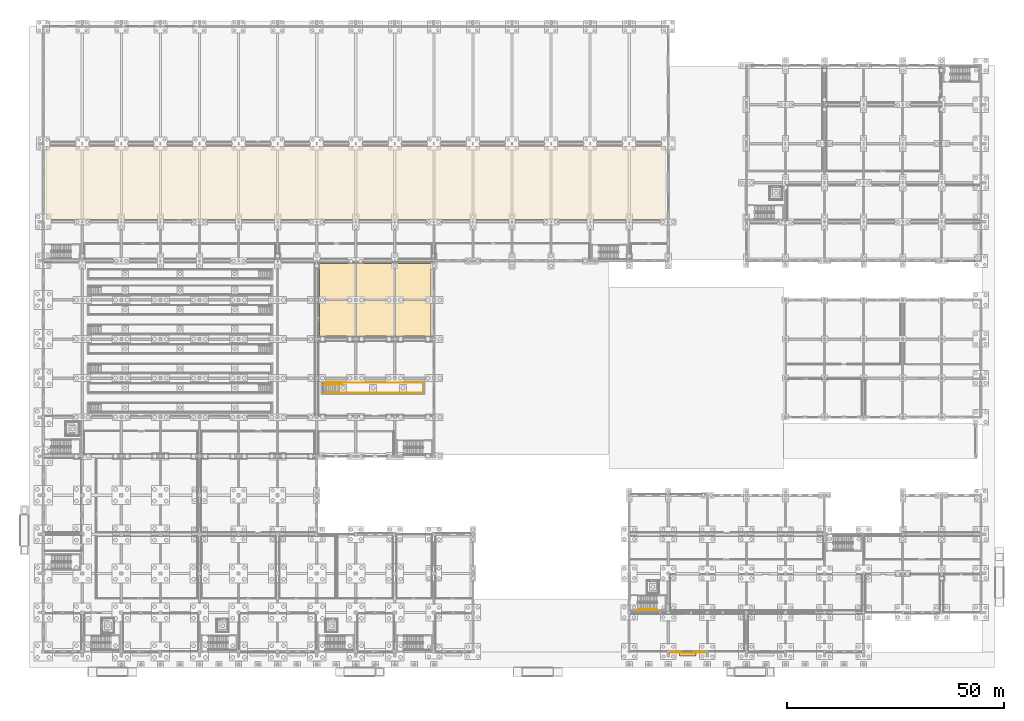
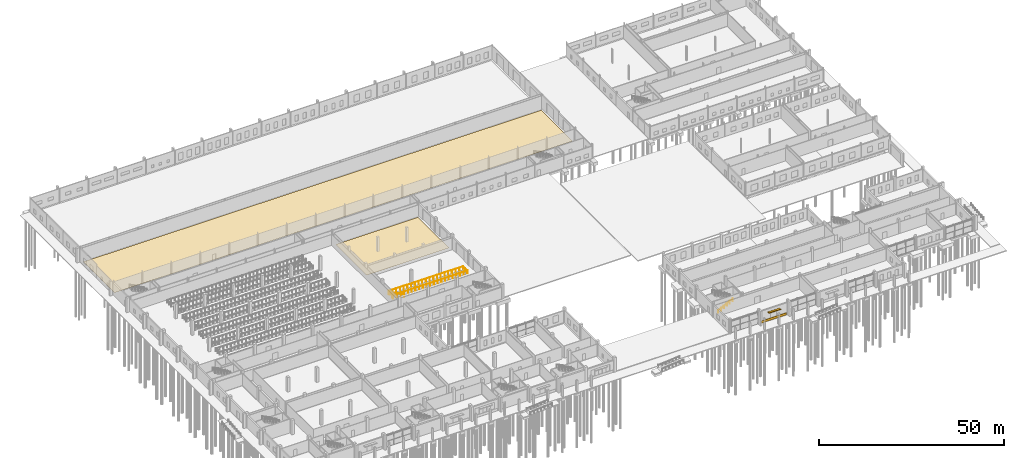
# One storey, part 103 of 112: 3 coverings, 3 railings, 1 shading device.
"""IFC4 building model written with IfcOpenShell, lengths in metres."""

import ifcopenshell
import ifcopenshell.guid

model = None  # the IFC model being written
_history = None  # IfcOwnerHistory: only IFC2X3 demands one
_inside = {}  # id of a spatial element -> (the spatial element, [elements in it])
_under = {}  # id of a project, library or spatial element -> (it, [spatial elements below it])
_declared = {}  # id of a project -> (the project, [libraries it declares])
_typed = {}  # id of a type object -> (the type object, [elements of that type])
_made_of = {}  # id of a material, layer set ... -> (it, [elements and type objects made of it])


def new_model(schema):
    """Start an empty IFC model of exactly this schema.

    Asked for "IFC4X3", IfcOpenShell would pick the latest addendum, in which some entities
    have other attributes; the version numbers below select the first issue.
    IFC2X3 requires an IfcOwnerHistory on every rooted entity: one is made here for all.
    """
    global model, _history
    if schema == "IFC4X3":
        model = ifcopenshell.file(schema_version=(4, 3, 0, 0))
    else:
        model = ifcopenshell.file(schema=schema)
    _inside.clear()
    _under.clear()
    _declared.clear()
    _typed.clear()
    _made_of.clear()
    _history = None
    if model.schema == "IFC2X3":
        org = make("IfcOrganization", Name="unknown")
        user = make(
            "IfcPersonAndOrganization",
            ThePerson=make("IfcPerson", FamilyName="unknown"),
            TheOrganization=org,
        )
        app = make(
            "IfcApplication",
            ApplicationDeveloper=org,
            Version="unknown",
            ApplicationFullName="unknown",
            ApplicationIdentifier="unknown",
        )
        _history = make(
            "IfcOwnerHistory",
            OwningUser=user,
            OwningApplication=app,
            ChangeAction="ADDED",
            CreationDate=0,
        )
    return model


def make(cls, **values):
    """One entity of the class cls with the attributes given. An attribute that is None is left unset."""
    return model.create_entity(
        cls, **{name: value for name, value in values.items() if value is not None}
    )


def rooted(cls, **values):
    """An entity with a GlobalId (a new one), such as an element, a storey or a relation."""
    return make(cls, GlobalId=ifcopenshell.guid.new(), OwnerHistory=_history, **values)


def si_unit(unit_type, name, prefix=None):
    """IfcSIUnit, for example si_unit("LENGTHUNIT", "METRE", prefix="MILLI")."""
    return make("IfcSIUnit", UnitType=unit_type, Prefix=prefix, Name=name)


def assignment(units):
    """IfcUnitAssignment: the units of a project."""
    return None if units is None else make("IfcUnitAssignment", Units=units)


def point(xyz):
    """IfcCartesianPoint."""
    return None if xyz is None else make("IfcCartesianPoint", Coordinates=xyz)


def direction(xyz):
    """IfcDirection."""
    return None if xyz is None else make("IfcDirection", DirectionRatios=xyz)


def frame(location, z_axis=None, x_axis=None):
    """IfcAxis2Placement3D, a coordinate frame: its origin and axes. An axis left out is left unset."""
    return make(
        "IfcAxis2Placement3D",
        Location=point(location),
        Axis=direction(z_axis),
        RefDirection=direction(x_axis),
    )


def frame_2d(location, x_axis=None):
    """IfcAxis2Placement2D, a coordinate frame in the plane: its origin and x axis."""
    return make(
        "IfcAxis2Placement2D", Location=point(location), RefDirection=direction(x_axis)
    )


def origin():
    """The frame at (0, 0, 0) with its axes left unset."""
    return frame((0.0, 0.0, 0.0))


def origin_2d():
    """The frame at (0, 0) in the plane with its x axis left unset."""
    return frame_2d((0.0, 0.0))


def place(relative_to, where):
    """IfcLocalPlacement: puts the frame where relative to a parent placement (None: the world)."""
    return make(
        "IfcLocalPlacement", PlacementRelTo=relative_to, RelativePlacement=where
    )


def context(
    kind, dimensions, precision=None, world=None, true_north=None, identifier=None
):
    """IfcGeometricRepresentationContext, for example the 3D "Model" context."""
    return make(
        "IfcGeometricRepresentationContext",
        ContextIdentifier=identifier,
        ContextType=kind,
        CoordinateSpaceDimension=dimensions,
        Precision=precision,
        WorldCoordinateSystem=world,
        TrueNorth=true_north,
    )


def subcontext(parent, identifier, kind, view, scale=None):
    """IfcGeometricRepresentationSubContext, for example "Body" below "Model"."""
    return make(
        "IfcGeometricRepresentationSubContext",
        ContextIdentifier=identifier,
        ContextType=kind,
        ParentContext=parent,
        TargetScale=scale,
        TargetView=view,
    )


def project(units=None, contexts=None):
    """IfcProject with its units and contexts."""
    return rooted(
        "IfcProject",
        Name="project",
        RepresentationContexts=contexts,
        UnitsInContext=assignment(units),
    )


def spatial(cls, under=None, at=None, **own):
    """A site, building, storey or space (cls), placed at a placement, below another one or the project."""
    s = rooted(cls, ObjectPlacement=at, **own)
    if under is not None:
        _under.setdefault(under.id(), (under, []))[1].append(s)
    return s


def polyline(points):
    """IfcPolyline through the points."""
    return make("IfcPolyline", Points=[point(p) for p in points])


def profile(cls, at=None, kind="AREA", **sizes):
    """A parametric profile (cls). Its sizes go by their IFC names, for example OverallWidth=200.0."""
    return make(cls, ProfileType=kind, Position=at, **sizes)


def rectangle(**sizes):
    """IfcRectangleProfileDef."""
    return profile("IfcRectangleProfileDef", **sizes)


def circle(**sizes):
    """IfcCircleProfileDef."""
    return profile("IfcCircleProfileDef", **sizes)


def outline(outer, holes=None, kind="AREA"):
    """IfcArbitraryClosedProfileDef: a profile drawn as a closed curve; with holes, ...WithVoids."""
    if holes is None:
        return make("IfcArbitraryClosedProfileDef", ProfileType=kind, OuterCurve=outer)
    return make(
        "IfcArbitraryProfileDefWithVoids",
        ProfileType=kind,
        OuterCurve=outer,
        InnerCurves=holes,
    )


def extrude(swept, where, along, depth):
    """IfcExtrudedAreaSolid: the profile swept, set in the frame where, extruded along a direction by depth."""
    return make(
        "IfcExtrudedAreaSolid",
        SweptArea=swept,
        Position=where,
        ExtrudedDirection=direction(along),
        Depth=depth,
    )


def shape(context_of_items, identifier, shape_type, items):
    """IfcShapeRepresentation: the items that make up one representation, for example the "Body"."""
    return make(
        "IfcShapeRepresentation",
        ContextOfItems=context_of_items,
        RepresentationIdentifier=identifier,
        RepresentationType=shape_type,
        Items=items,
    )


def material(Name=None, Category=None):
    """IfcMaterial."""
    return make("IfcMaterial", Name=Name, Category=Category)


def layer(
    of_material, thickness, ventilated=None, Name=None, Category=None, Priority=None
):
    """IfcMaterialLayer: one layer of a wall or slab, of a material (None: an air gap)."""
    return make(
        "IfcMaterialLayer",
        Material=of_material,
        LayerThickness=thickness,
        IsVentilated=ventilated,
        Name=Name,
        Category=Category,
        Priority=Priority,
    )


def layer_set(layers, Name=None):
    """IfcMaterialLayerSet."""
    return make("IfcMaterialLayerSet", MaterialLayers=layers, LayerSetName=Name)


def made_of(thing, what):
    """Note that an element or type object is made of a material, layer set ...; save() writes the relation."""
    if what is not None:
        _made_of.setdefault(what.id(), (what, []))[1].append(thing)
    return thing


def type_object(cls, material=None, **own):
    """A type object (cls), such as IfcWallType, which elements share."""
    return made_of(rooted(cls, **own), material)


def element(
    cls,
    number,
    at=None,
    inside=None,
    cuts=None,
    type_object=None,
    material=None,
    context=None,
    identifier="Body",
    shape_type=None,
    held_by="IfcProductDefinitionShape",
    body=None,
    shapes=None,
    **own,
):
    """One element of the class cls, such as IfcWall. Its Tag is "e" and its number.

    at: its placement. inside: the storey or other place that contains it. cuts: it is an
    opening in that element (IfcRelVoidsElement). A single representation is given by context,
    identifier, shape_type and body (its items); several are given by shapes. held_by: the class
    of the entity that holds the representations. save() writes the other relations.
    """
    e = rooted(cls, Tag="e%d" % number, ObjectPlacement=at, **own)
    if body is not None:
        shapes = [shape(context, identifier, shape_type, body)]
    if shapes is not None:
        e.Representation = make(held_by, Representations=shapes)
    if inside is not None:
        _inside.setdefault(inside.id(), (inside, []))[1].append(e)
    if cuts is not None:
        rooted(
            "IfcRelVoidsElement", RelatingBuildingElement=cuts, RelatedOpeningElement=e
        )
    if type_object is not None:
        _typed.setdefault(type_object.id(), (type_object, []))[1].append(e)
    return made_of(e, material)


def aggregate(whole, parts):
    """IfcRelAggregates: a whole, such as a stair, and the parts it consists of."""
    return rooted("IfcRelAggregates", RelatingObject=whole, RelatedObjects=parts)


def save(model, path):
    """Write the relations noted so far, then the file.

    IfcRelAggregates (storeys below a building ...), IfcRelContainedInSpatialStructure (elements
    in a storey), IfcRelDefinesByType, IfcRelAssociatesMaterial and IfcRelDeclares: one each for
    every whole, place, type object, material and project.
    """
    for whole, parts in _under.values():
        aggregate(whole, parts)
    for where, things in _inside.values():
        rooted(
            "IfcRelContainedInSpatialStructure",
            RelatedElements=things,
            RelatingStructure=where,
        )
    for kind, things in _typed.values():
        rooted("IfcRelDefinesByType", RelatedObjects=things, RelatingType=kind)
    for what, things in _made_of.values():
        rooted("IfcRelAssociatesMaterial", RelatedObjects=things, RelatingMaterial=what)
    for by, libraries in _declared.values():
        rooted("IfcRelDeclares", RelatingContext=by, RelatedDefinitions=libraries)
    model.write(path)


model = new_model("IFC4")

# Units and contexts
model_context = context("Model", 3, precision=1e-05, world=origin(), true_north=direction((0.0, 1.0)))
body_context = subcontext(model_context, "Body", "Model", "MODEL_VIEW")
ifc_project = project(units=[si_unit("LENGTHUNIT", "METRE"), si_unit("AREAUNIT", "SQUARE_METRE"), si_unit("VOLUMEUNIT", "CUBIC_METRE"), si_unit("PLANEANGLEUNIT", "RADIAN"), si_unit("MASSUNIT", "GRAM", prefix="KILO")], contexts=[model_context])

# Site, building, storey
site_placement = place(None, origin())
site = spatial("IfcSite", under=ifc_project, at=site_placement, CompositionType="ELEMENT")
building_placement = place(site_placement, origin())
building = spatial("IfcBuilding", under=site, at=building_placement, Name="Tharagai Park Tramway Depot", CompositionType="ELEMENT")
storey_placement = place(building_placement, origin())
storey = spatial("IfcBuildingStorey", under=building, at=storey_placement, Name="L00", CompositionType="ELEMENT", Elevation=0.0)

# Coverings
ifc_material_1 = material(Name="Charnockite stone", Category="masonry")
ifc_layer_1 = layer(ifc_material_1, 0.0400390625)
ifc_layer_set_1 = layer_set([ifc_layer_1], Name="Charnockite stone")
covering_type_1 = type_object("IfcCoveringType", Name="CV-02", PredefinedType="CLADDING", material=ifc_layer_set_1)
covering_1_placement = place(storey_placement, frame((148.5, -0.22509765625, 0.02001953125), z_axis=(0.0, 0.0, 1.0), x_axis=(1.0, 0.0, 0.0)))
element("IfcCovering", 1, at=covering_1_placement, inside=storey, type_object=covering_type_1, Name="Charnockite Plinth Cladding CV-02 #7", PredefinedType="CLADDING", context=body_context, shape_type="SweptSolid", body=[
    extrude(rectangle(XDim=7.904052734375, YDim=0.0400390625, at=origin_2d()), origin(), (0.0, 0.0, 1.0), 0.800048828125),
])
ifc_material_2 = material(Name="Epoxy industrial flooring", Category="plastic")
ifc_layer_2 = layer(ifc_material_2, 0.014892578125)
ifc_layer_set_2 = layer_set([ifc_layer_2], Name="Epoxy industrial flooring")
covering_type_2 = type_object("IfcCoveringType", Name="FN-03", PredefinedType="FLOORING", material=ifc_layer_set_2)
covering_2_placement = place(storey_placement, origin())
element("IfcCovering", 2, at=covering_2_placement, inside=storey, type_object=covering_type_2, Name="Depot Stabling Shed South Tracks Floor Finish", PredefinedType="FLOORING", context=body_context, shape_type="SweptSolid", body=[
    extrude(outline(polyline([(0.64990234375, 99.550048828125), (143.35009765625, 99.550048828125), (143.35009765625, 116.35009765625), (0.64990234375, 116.35009765625), (0.64990234375, 99.550048828125)])), origin(), (0.0, 0.0, 1.0), 0.014892578125),
])
covering_3_placement = place(storey_placement, origin())
element("IfcCovering", 3, at=covering_3_placement, inside=storey, type_object=covering_type_2, Name="Bogie Drop Table and Heavy Lifting Bay Floor Finish", PredefinedType="FLOORING", context=body_context, shape_type="SweptSolid", body=[
    extrude(outline(polyline([(63.64990234375, 72.64990234375), (89.35009765625, 72.64990234375), (89.35009765625, 89.35009765625), (63.64990234375, 89.35009765625), (63.64990234375, 72.64990234375)])), origin(), (0.0, 0.0, 1.0), 0.014892578125),
])

# Railings
ifc_material_3 = material(Name="Galvanised steel", Category="steel")
railing_type_1 = type_object("IfcRailingType", Name="HR-01", PredefinedType="GUARDRAIL", material=ifc_material_3)
railing_1_placement = place(storey_placement, frame((64.43994140625, 59.97998046875, 0.0)))
element("IfcRailing", 4, at=railing_1_placement, inside=storey, type_object=railing_type_1, Name="Underfloor Wheel-Lathe Pit Mouth Safety Guard 1", PredefinedType="GUARDRAIL", context=body_context, shape_type="SweptSolid", body=[
    extrude(circle(Radius=0.02392578125, at=origin_2d()), frame((0.0, 0.0, 1.10595703125), z_axis=(0.0, -1.0, 0.0), x_axis=(1.0, 0.0, 0.0)), (0.0, 0.0, 1.0), 0.389892578125),
    extrude(circle(Radius=0.02392578125, at=origin_2d()), frame((0.0, -0.389892578125, 1.10595703125), z_axis=(1.0, 0.0, 0.0), x_axis=(0.0, 1.0, 0.0)), (0.0, 0.0, 1.0), 23.1201171875),
    extrude(circle(Radius=0.02392578125, at=origin_2d()), frame((23.1201171875, -0.389892578125, 1.10595703125), z_axis=(0.0, 1.0, 0.0), x_axis=(-1.0, 0.0, 0.0)), (0.0, 0.0, 1.0), 2.31982421875),
    extrude(circle(Radius=0.02392578125, at=origin_2d()), frame((23.1201171875, 1.929931640625, 1.10595703125), z_axis=(-1.0, 0.0, 0.0), x_axis=(0.0, -1.0, 0.0)), (0.0, 0.0, 1.0), 23.1201171875),
    extrude(circle(Radius=0.02392578125, at=origin_2d()), frame((0.0, 1.929931640625, 1.10595703125), z_axis=(0.0, -1.0, 0.0), x_axis=(1.0, 0.0, 0.0)), (0.0, 0.0, 1.0), 0.389892578125),
    extrude(circle(Radius=0.02099609375, at=origin_2d()), origin(), (0.0, 0.0, 1.0), 1.081787109375),
    extrude(circle(Radius=0.02099609375, at=origin_2d()), frame((0.0, -0.389892578125, 0.0)), (0.0, 0.0, 1.0), 1.081787109375),
    extrude(circle(Radius=0.02099609375, at=origin_2d()), frame((1.156005859375, -0.389892578125, 0.0)), (0.0, 0.0, 1.0), 1.081787109375),
    extrude(circle(Radius=0.02099609375, at=origin_2d()), frame((2.31201171875, -0.389892578125, 0.0)), (0.0, 0.0, 1.0), 1.081787109375),
    extrude(circle(Radius=0.02099609375, at=origin_2d()), frame((3.468017578125, -0.389892578125, 0.0)), (0.0, 0.0, 1.0), 1.081787109375),
    extrude(circle(Radius=0.02099609375, at=origin_2d()), frame((4.6240234375, -0.389892578125, 0.0)), (0.0, 0.0, 1.0), 1.081787109375),
    extrude(circle(Radius=0.02099609375, at=origin_2d()), frame((5.780029296875, -0.389892578125, 0.0)), (0.0, 0.0, 1.0), 1.081787109375),
    extrude(circle(Radius=0.02099609375, at=origin_2d()), frame((6.93603515625, -0.389892578125, 0.0)), (0.0, 0.0, 1.0), 1.081787109375),
    extrude(circle(Radius=0.02099609375, at=origin_2d()), frame((8.092041015625, -0.389892578125, 0.0)), (0.0, 0.0, 1.0), 1.081787109375),
    extrude(circle(Radius=0.02099609375, at=origin_2d()), frame((9.248046875, -0.389892578125, 0.0)), (0.0, 0.0, 1.0), 1.081787109375),
    extrude(circle(Radius=0.02099609375, at=origin_2d()), frame((10.404052734375, -0.389892578125, 0.0)), (0.0, 0.0, 1.0), 1.081787109375),
    extrude(circle(Radius=0.02099609375, at=origin_2d()), frame((11.56005859375, -0.389892578125, 0.0)), (0.0, 0.0, 1.0), 1.081787109375),
    extrude(circle(Radius=0.02099609375, at=origin_2d()), frame((12.716064453125, -0.389892578125, 0.0)), (0.0, 0.0, 1.0), 1.081787109375),
    extrude(circle(Radius=0.02099609375, at=origin_2d()), frame((13.8720703125, -0.389892578125, 0.0)), (0.0, 0.0, 1.0), 1.081787109375),
    extrude(circle(Radius=0.02099609375, at=origin_2d()), frame((15.028076171875, -0.389892578125, 0.0)), (0.0, 0.0, 1.0), 1.081787109375),
    extrude(circle(Radius=0.02099609375, at=origin_2d()), frame((16.18408203125, -0.389892578125, 0.0)), (0.0, 0.0, 1.0), 1.081787109375),
    extrude(circle(Radius=0.02099609375, at=origin_2d()), frame((17.340087890625, -0.389892578125, 0.0)), (0.0, 0.0, 1.0), 1.081787109375),
    extrude(circle(Radius=0.02099609375, at=origin_2d()), frame((18.49609375, -0.389892578125, 0.0)), (0.0, 0.0, 1.0), 1.081787109375),
    extrude(circle(Radius=0.02099609375, at=origin_2d()), frame((19.652099609375, -0.389892578125, 0.0)), (0.0, 0.0, 1.0), 1.081787109375),
    extrude(circle(Radius=0.02099609375, at=origin_2d()), frame((20.80810546875, -0.389892578125, 0.0)), (0.0, 0.0, 1.0), 1.081787109375),
    extrude(circle(Radius=0.02099609375, at=origin_2d()), frame((21.964111328125, -0.389892578125, 0.0)), (0.0, 0.0, 1.0), 1.081787109375),
    extrude(circle(Radius=0.02099609375, at=origin_2d()), frame((23.1201171875, -0.389892578125, 0.0)), (0.0, 0.0, 1.0), 1.081787109375),
    extrude(circle(Radius=0.02099609375, at=origin_2d()), frame((23.1201171875, 0.77001953125, 0.0)), (0.0, 0.0, 1.0), 1.081787109375),
    extrude(circle(Radius=0.02099609375, at=origin_2d()), frame((23.1201171875, 1.929931640625, 0.0)), (0.0, 0.0, 1.0), 1.081787109375),
    extrude(circle(Radius=0.02099609375, at=origin_2d()), frame((21.964111328125, 1.929931640625, 0.0)), (0.0, 0.0, 1.0), 1.081787109375),
    extrude(circle(Radius=0.02099609375, at=origin_2d()), frame((20.80810546875, 1.929931640625, 0.0)), (0.0, 0.0, 1.0), 1.081787109375),
    extrude(circle(Radius=0.02099609375, at=origin_2d()), frame((19.652099609375, 1.929931640625, 0.0)), (0.0, 0.0, 1.0), 1.081787109375),
    extrude(circle(Radius=0.02099609375, at=origin_2d()), frame((18.49609375, 1.929931640625, 0.0)), (0.0, 0.0, 1.0), 1.081787109375),
    extrude(circle(Radius=0.02099609375, at=origin_2d()), frame((17.340087890625, 1.929931640625, 0.0)), (0.0, 0.0, 1.0), 1.081787109375),
    extrude(circle(Radius=0.02099609375, at=origin_2d()), frame((16.18408203125, 1.929931640625, 0.0)), (0.0, 0.0, 1.0), 1.081787109375),
    extrude(circle(Radius=0.02099609375, at=origin_2d()), frame((15.028076171875, 1.929931640625, 0.0)), (0.0, 0.0, 1.0), 1.081787109375),
    extrude(circle(Radius=0.02099609375, at=origin_2d()), frame((13.8720703125, 1.929931640625, 0.0)), (0.0, 0.0, 1.0), 1.081787109375),
    extrude(circle(Radius=0.02099609375, at=origin_2d()), frame((12.716064453125, 1.929931640625, 0.0)), (0.0, 0.0, 1.0), 1.081787109375),
    extrude(circle(Radius=0.02099609375, at=origin_2d()), frame((11.56005859375, 1.929931640625, 0.0)), (0.0, 0.0, 1.0), 1.081787109375),
    extrude(circle(Radius=0.02099609375, at=origin_2d()), frame((10.404052734375, 1.929931640625, 0.0)), (0.0, 0.0, 1.0), 1.081787109375),
    extrude(circle(Radius=0.02099609375, at=origin_2d()), frame((9.248046875, 1.929931640625, 0.0)), (0.0, 0.0, 1.0), 1.081787109375),
    extrude(circle(Radius=0.02099609375, at=origin_2d()), frame((8.092041015625, 1.929931640625, 0.0)), (0.0, 0.0, 1.0), 1.081787109375),
    extrude(circle(Radius=0.02099609375, at=origin_2d()), frame((6.93603515625, 1.929931640625, 0.0)), (0.0, 0.0, 1.0), 1.081787109375),
    extrude(circle(Radius=0.02099609375, at=origin_2d()), frame((5.780029296875, 1.929931640625, 0.0)), (0.0, 0.0, 1.0), 1.081787109375),
    extrude(circle(Radius=0.02099609375, at=origin_2d()), frame((4.6240234375, 1.929931640625, 0.0)), (0.0, 0.0, 1.0), 1.081787109375),
    extrude(circle(Radius=0.02099609375, at=origin_2d()), frame((3.468017578125, 1.929931640625, 0.0)), (0.0, 0.0, 1.0), 1.081787109375),
    extrude(circle(Radius=0.02099609375, at=origin_2d()), frame((2.31201171875, 1.929931640625, 0.0)), (0.0, 0.0, 1.0), 1.081787109375),
    extrude(circle(Radius=0.02099609375, at=origin_2d()), frame((1.156005859375, 1.929931640625, 0.0)), (0.0, 0.0, 1.0), 1.081787109375),
    extrude(circle(Radius=0.02099609375, at=origin_2d()), frame((0.0, 1.929931640625, 0.0)), (0.0, 0.0, 1.0), 1.081787109375),
    extrude(circle(Radius=0.02099609375, at=origin_2d()), frame((0.0, 1.5400390625, 0.0)), (0.0, 0.0, 1.0), 1.081787109375),
])
railing_type_2 = type_object("IfcRailingType", Name="HR-03", PredefinedType="HANDRAIL", material=ifc_material_3)
railing_2_placement = place(storey_placement, frame((136.949951171875, 9.699951171875, 0.14990234375)))
element("IfcRailing", 5, at=railing_2_placement, inside=storey, type_object=railing_type_2, Name="L00 ST-06 stair handrail 1", PredefinedType="HANDRAIL", context=body_context, shape_type="SweptSolid", body=[
    extrude(circle(Radius=0.02392578125, at=origin_2d()), frame((0.0, 0.0, 0.8759765625), z_axis=(0.894427191, 0.0, 0.4472135955), x_axis=(0.0, 1.0, 0.0)), (0.0, 0.0, 1.0), 5.03125),
    extrude(circle(Radius=0.02099609375, at=origin_2d()), origin(), (0.0, 0.0, 1.0), 0.851806640625),
    extrude(circle(Radius=0.02099609375, at=origin_2d()), frame((0.89990234375, 0.0, 0.449951171875)), (0.0, 0.0, 1.0), 0.851806640625),
    extrude(circle(Radius=0.02099609375, at=origin_2d()), frame((1.800048828125, 0.0, 0.89990234375)), (0.0, 0.0, 1.0), 0.851806640625),
    extrude(circle(Radius=0.02099609375, at=origin_2d()), frame((2.699951171875, 0.0, 1.35009765625)), (0.0, 0.0, 1.0), 0.851806640625),
    extrude(circle(Radius=0.02099609375, at=origin_2d()), frame((3.60009765625, 0.0, 1.800048828125)), (0.0, 0.0, 1.0), 0.851806640625),
    extrude(circle(Radius=0.02099609375, at=origin_2d()), frame((4.5, 0.0, 2.25)), (0.0, 0.0, 1.0), 0.851806640625),
])
railing_3_placement = place(storey_placement, frame((68.8798828125, 61.449951171875, -2.199951171875)))
element("IfcRailing", 6, at=railing_3_placement, inside=storey, type_object=railing_type_2, Name="Underfloor Wheel-Lathe Pit Stair Handrail", PredefinedType="HANDRAIL", context=body_context, shape_type="SweptSolid", body=[
    extrude(circle(Radius=0.02392578125, at=origin_2d()), frame((0.0, 0.0, 0.8759765625), z_axis=(-0.885833551011, 0.0, 0.464003146437), x_axis=(0.0, -1.0, 0.0)), (0.0, 0.0, 1.0), 4.7412109375),
    extrude(circle(Radius=0.02099609375, at=origin_2d()), origin(), (0.0, 0.0, 1.0), 0.851806640625),
    extrude(circle(Radius=0.02099609375, at=origin_2d()), frame((-1.050048828125, 0.0, 0.550048828125)), (0.0, 0.0, 1.0), 0.851806640625),
    extrude(circle(Radius=0.02099609375, at=origin_2d()), frame((-2.10009765625, 0.0, 1.10009765625)), (0.0, 0.0, 1.0), 0.851806640625),
    extrude(circle(Radius=0.02099609375, at=origin_2d()), frame((-3.14990234375, 0.0, 1.64990234375)), (0.0, 0.0, 1.0), 0.851806640625),
    extrude(circle(Radius=0.02099609375, at=origin_2d()), frame((-4.199951171875, 0.0, 2.199951171875)), (0.0, 0.0, 1.0), 0.851806640625),
])

# Shading device
ifc_material_4 = material(Name="Anodised aluminium", Category="aluminium")
ifc_layer_3 = layer(ifc_material_4, 0.080078125)
ifc_layer_set_3 = layer_set([ifc_layer_3], Name="Anodised aluminium")
shading_device_type = type_object("IfcShadingDeviceType", Name="SD-04", PredefinedType="AWNING", material=ifc_layer_set_3)
shading_device_placement = place(storey_placement, frame((148.5, -0.580078125, 3.010009765625), z_axis=(0.0, 0.0, 1.0), x_axis=(1.0, 0.0, 0.0)))
element("IfcShadingDevice", 7, at=shading_device_placement, inside=storey, type_object=shading_device_type, Name="Entrance Monsoon Canopy Awning SD-04 #7", PredefinedType="AWNING", context=body_context, shape_type="SweptSolid", body=[
    extrude(rectangle(XDim=3.800048828125, YDim=0.780029296875, at=origin_2d()), origin(), (0.0, 0.0, 1.0), 0.080078125),
])

save(model, "model.ifc")
